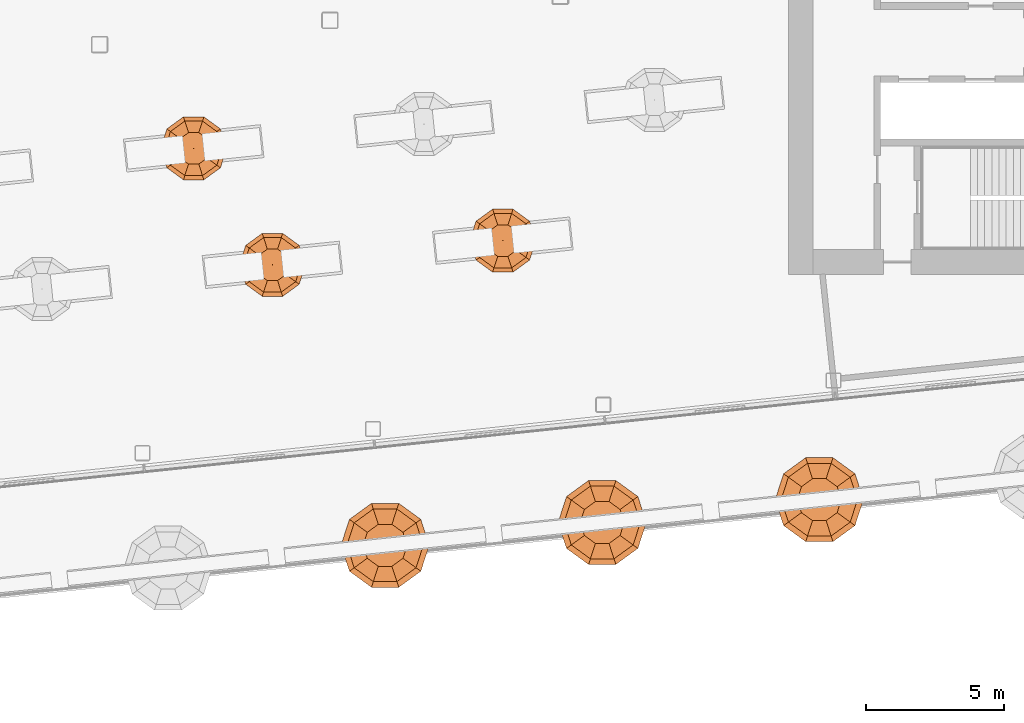
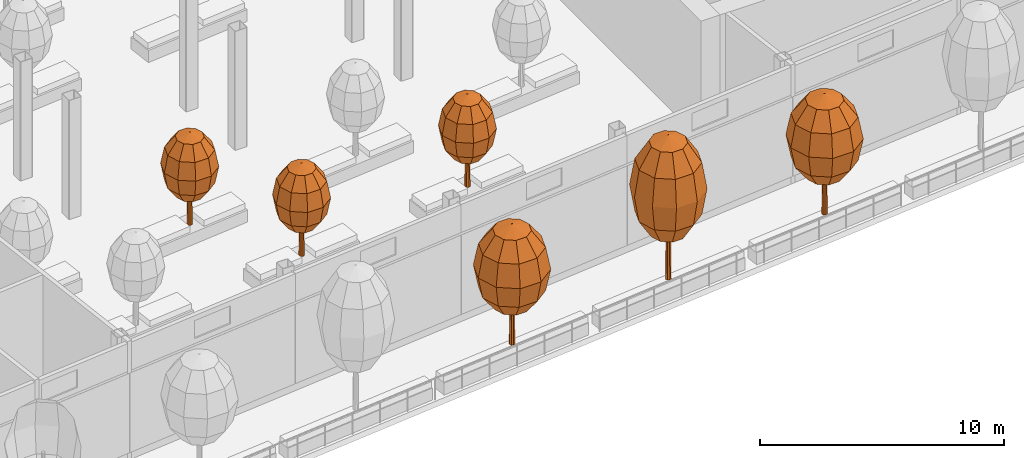
# One storey, part 38 of 42: 6 geographic elements.
"""IFC4 building model written with IfcOpenShell, lengths in metres."""

from ifc_helpers import new_model, si_unit, direction, frame, origin, place, context, subcontext, project, spatial, triangles, material, type_object, element, save


model = new_model("IFC4")

# Units and contexts
model_context = context("Model", 3, precision=1e-05, world=origin(), true_north=direction((0.0, 1.0)))
body_context = subcontext(model_context, "Body", "Model", "MODEL_VIEW")
ifc_project = project(units=[si_unit("LENGTHUNIT", "METRE"), si_unit("AREAUNIT", "SQUARE_METRE"), si_unit("VOLUMEUNIT", "CUBIC_METRE"), si_unit("PLANEANGLEUNIT", "RADIAN"), si_unit("MASSUNIT", "GRAM", prefix="KILO")], contexts=[model_context])

# Site, building, storey
site_placement = place(None, origin())
site = spatial("IfcSite", under=ifc_project, at=site_placement, CompositionType="ELEMENT")
building_placement = place(site_placement, origin())
building = spatial("IfcBuilding", under=site, at=building_placement, Name="Hakoniwa Tower and Hamabe Station Hall", CompositionType="ELEMENT")
storey_placement = place(building_placement, frame((0.0, 0.0, 232.60009765625)))
storey = spatial("IfcBuildingStorey", under=building, at=storey_placement, Name="L66", CompositionType="ELEMENT", Elevation=232.60009765625)

# Geographic elements
ifc_material_1 = material(Name="Tree foliage")
geographic_element_type_1 = type_object("IfcGeographicElementType", Name="Camellia 4.6 m", PredefinedType="USERDEFINED", material=ifc_material_1)
geographic_element_1_placement = place(storey_placement, frame((-4.76416015625, -3.832763671875, 0.599853515625)))
element("IfcGeographicElement", 1, at=geographic_element_1_placement, inside=storey, type_object=geographic_element_type_1, Name="Camellia 4-6 m", ObjectType="TREE", PredefinedType="USERDEFINED", context=body_context, shape_type="Tessellation", body=[
    triangles([(0.125, 0.0, 0.0), (0.08837890625, 0.08837890625, 0.0), (0.0, 0.125, 0.0), (-0.08837890625, 0.08837890625, 0.0), (-0.125, 0.0, 0.0), (-0.08837890625, -0.08837890625, 0.0), (0.0, -0.125, 0.0), (0.08837890625, -0.08837890625, 0.0), (0.074951171875, 0.0, 2.778564453125), (0.052978515625, 0.052978515625, 2.778564453125), (0.0, 0.074951171875, 2.778564453125), (-0.052978515625, 0.052978515625, 2.778564453125), (-0.074951171875, 0.0, 2.778564453125), (-0.052978515625, -0.052978515625, 2.778564453125), (0.0, -0.074951171875, 2.778564453125), (0.052978515625, -0.052978515625, 2.778564453125), (0.0, 0.0, 0.0), (0.0, 0.0, 2.778564453125)], [[1, 2, 10], [1, 10, 9], [17, 2, 1], [18, 9, 10], [2, 3, 11], [2, 11, 10], [17, 3, 2], [18, 10, 11], [3, 4, 12], [3, 12, 11], [17, 4, 3], [18, 11, 12], [4, 5, 13], [4, 13, 12], [17, 5, 4], [18, 12, 13], [5, 6, 14], [5, 14, 13], [17, 6, 5], [18, 13, 14], [6, 7, 15], [6, 15, 14], [17, 7, 6], [18, 14, 15], [7, 8, 16], [7, 16, 15], [17, 8, 7], [18, 15, 16], [8, 1, 9], [8, 9, 16], [17, 1, 8], [18, 16, 9]], closed=True),
    triangles([(0.0, 0.0, 1.2880859375), (0.599853515625, 0.0, 1.510009765625), (0.4853515625, 0.3525390625, 1.510009765625), (0.185302734375, 0.570556640625, 1.510009765625), (-0.185302734375, 0.570556640625, 1.510009765625), (-0.4853515625, 0.3525390625, 1.510009765625), (-0.599853515625, 0.0, 1.510009765625), (-0.4853515625, -0.3525390625, 1.510009765625), (-0.185302734375, -0.570556640625, 1.510009765625), (0.185302734375, -0.570556640625, 1.510009765625), (0.4853515625, -0.3525390625, 1.510009765625), (1.039306640625, 0.0, 2.115966796875), (0.8408203125, 0.61083984375, 2.115966796875), (0.321044921875, 0.98828125, 2.115966796875), (-0.321044921875, 0.98828125, 2.115966796875), (-0.8408203125, 0.61083984375, 2.115966796875), (-1.039306640625, 0.0, 2.115966796875), (-0.8408203125, -0.61083984375, 2.115966796875), (-0.321044921875, -0.98828125, 2.115966796875), (0.321044921875, -0.98828125, 2.115966796875), (0.8408203125, -0.61083984375, 2.115966796875), (1.199951171875, 0.0, 2.944091796875), (0.970703125, 0.705322265625, 2.944091796875), (0.370849609375, 1.14111328125, 2.944091796875), (-0.370849609375, 1.14111328125, 2.944091796875), (-0.970703125, 0.705322265625, 2.944091796875), (-1.199951171875, 0.0, 2.944091796875), (-0.970703125, -0.705322265625, 2.944091796875), (-0.370849609375, -1.14111328125, 2.944091796875), (0.370849609375, -1.14111328125, 2.944091796875), (0.970703125, -0.705322265625, 2.944091796875), (1.039306640625, 0.0, 3.77197265625), (0.8408203125, 0.61083984375, 3.77197265625), (0.321044921875, 0.98828125, 3.77197265625), (-0.321044921875, 0.98828125, 3.77197265625), (-0.8408203125, 0.61083984375, 3.77197265625), (-1.039306640625, 0.0, 3.77197265625), (-0.8408203125, -0.61083984375, 3.77197265625), (-0.321044921875, -0.98828125, 3.77197265625), (0.321044921875, -0.98828125, 3.77197265625), (0.8408203125, -0.61083984375, 3.77197265625), (0.599853515625, 0.0, 4.378173828125), (0.4853515625, 0.3525390625, 4.378173828125), (0.185302734375, 0.570556640625, 4.378173828125), (-0.185302734375, 0.570556640625, 4.378173828125), (-0.4853515625, 0.3525390625, 4.378173828125), (-0.599853515625, 0.0, 4.378173828125), (-0.4853515625, -0.3525390625, 4.378173828125), (-0.185302734375, -0.570556640625, 4.378173828125), (0.185302734375, -0.570556640625, 4.378173828125), (0.4853515625, -0.3525390625, 4.378173828125), (0.0, 0.0, 4.60009765625)], [[1, 3, 2], [1, 4, 3], [1, 5, 4], [1, 6, 5], [1, 7, 6], [1, 8, 7], [1, 9, 8], [1, 10, 9], [1, 11, 10], [1, 2, 11], [2, 3, 13], [2, 13, 12], [3, 4, 14], [3, 14, 13], [4, 5, 15], [4, 15, 14], [5, 6, 16], [5, 16, 15], [6, 7, 17], [6, 17, 16], [7, 8, 18], [7, 18, 17], [8, 9, 19], [8, 19, 18], [9, 10, 20], [9, 20, 19], [10, 11, 21], [10, 21, 20], [11, 2, 12], [11, 12, 21], [12, 13, 23], [12, 23, 22], [13, 14, 24], [13, 24, 23], [14, 15, 25], [14, 25, 24], [15, 16, 26], [15, 26, 25], [16, 17, 27], [16, 27, 26], [17, 18, 28], [17, 28, 27], [18, 19, 29], [18, 29, 28], [19, 20, 30], [19, 30, 29], [20, 21, 31], [20, 31, 30], [21, 12, 22], [21, 22, 31], [22, 23, 33], [22, 33, 32], [23, 24, 34], [23, 34, 33], [24, 25, 35], [24, 35, 34], [25, 26, 36], [25, 36, 35], [26, 27, 37], [26, 37, 36], [27, 28, 38], [27, 38, 37], [28, 29, 39], [28, 39, 38], [29, 30, 40], [29, 40, 39], [30, 31, 41], [30, 41, 40], [31, 22, 32], [31, 32, 41], [32, 33, 43], [32, 43, 42], [33, 34, 44], [33, 44, 43], [34, 35, 45], [34, 45, 44], [35, 36, 46], [35, 46, 45], [36, 37, 47], [36, 47, 46], [37, 38, 48], [37, 48, 47], [38, 39, 49], [38, 49, 48], [39, 40, 50], [39, 50, 49], [40, 41, 51], [40, 51, 50], [41, 32, 42], [41, 42, 51], [52, 42, 43], [52, 43, 44], [52, 44, 45], [52, 45, 46], [52, 46, 47], [52, 47, 48], [52, 48, 49], [52, 49, 50], [52, 50, 51], [52, 51, 42]], closed=True),
])
geographic_element_2_placement = place(storey_placement, frame((-1.906982421875, -8.05712890625, 0.599853515625)))
element("IfcGeographicElement", 2, at=geographic_element_2_placement, inside=storey, type_object=geographic_element_type_1, Name="Camellia 4-6 m", ObjectType="TREE", PredefinedType="USERDEFINED", context=body_context, shape_type="Tessellation", body=[
    triangles([(0.125, 0.0, 0.0), (0.08837890625, 0.08837890625, 0.0), (0.0, 0.125, 0.0), (-0.08837890625, 0.08837890625, 0.0), (-0.125, 0.0, 0.0), (-0.08837890625, -0.08837890625, 0.0), (0.0, -0.125, 0.0), (0.08837890625, -0.08837890625, 0.0), (0.074951171875, 0.0, 2.778564453125), (0.052978515625, 0.052978515625, 2.778564453125), (0.0, 0.074951171875, 2.778564453125), (-0.052978515625, 0.052978515625, 2.778564453125), (-0.074951171875, 0.0, 2.778564453125), (-0.052978515625, -0.052978515625, 2.778564453125), (0.0, -0.074951171875, 2.778564453125), (0.052978515625, -0.052978515625, 2.778564453125), (0.0, 0.0, 0.0), (0.0, 0.0, 2.778564453125)], [[1, 2, 10], [1, 10, 9], [17, 2, 1], [18, 9, 10], [2, 3, 11], [2, 11, 10], [17, 3, 2], [18, 10, 11], [3, 4, 12], [3, 12, 11], [17, 4, 3], [18, 11, 12], [4, 5, 13], [4, 13, 12], [17, 5, 4], [18, 12, 13], [5, 6, 14], [5, 14, 13], [17, 6, 5], [18, 13, 14], [6, 7, 15], [6, 15, 14], [17, 7, 6], [18, 14, 15], [7, 8, 16], [7, 16, 15], [17, 8, 7], [18, 15, 16], [8, 1, 9], [8, 9, 16], [17, 1, 8], [18, 16, 9]], closed=True),
    triangles([(0.0, 0.0, 1.2880859375), (0.599853515625, 0.0, 1.510009765625), (0.4853515625, 0.3525390625, 1.510009765625), (0.185302734375, 0.570556640625, 1.510009765625), (-0.185302734375, 0.570556640625, 1.510009765625), (-0.4853515625, 0.3525390625, 1.510009765625), (-0.599853515625, 0.0, 1.510009765625), (-0.4853515625, -0.3525390625, 1.510009765625), (-0.185302734375, -0.570556640625, 1.510009765625), (0.185302734375, -0.570556640625, 1.510009765625), (0.4853515625, -0.3525390625, 1.510009765625), (1.039306640625, 0.0, 2.115966796875), (0.8408203125, 0.61083984375, 2.115966796875), (0.321044921875, 0.98828125, 2.115966796875), (-0.321044921875, 0.98828125, 2.115966796875), (-0.8408203125, 0.61083984375, 2.115966796875), (-1.039306640625, 0.0, 2.115966796875), (-0.8408203125, -0.61083984375, 2.115966796875), (-0.321044921875, -0.98828125, 2.115966796875), (0.321044921875, -0.98828125, 2.115966796875), (0.8408203125, -0.61083984375, 2.115966796875), (1.199951171875, 0.0, 2.944091796875), (0.970703125, 0.705322265625, 2.944091796875), (0.370849609375, 1.14111328125, 2.944091796875), (-0.370849609375, 1.14111328125, 2.944091796875), (-0.970703125, 0.705322265625, 2.944091796875), (-1.199951171875, 0.0, 2.944091796875), (-0.970703125, -0.705322265625, 2.944091796875), (-0.370849609375, -1.14111328125, 2.944091796875), (0.370849609375, -1.14111328125, 2.944091796875), (0.970703125, -0.705322265625, 2.944091796875), (1.039306640625, 0.0, 3.77197265625), (0.8408203125, 0.61083984375, 3.77197265625), (0.321044921875, 0.98828125, 3.77197265625), (-0.321044921875, 0.98828125, 3.77197265625), (-0.8408203125, 0.61083984375, 3.77197265625), (-1.039306640625, 0.0, 3.77197265625), (-0.8408203125, -0.61083984375, 3.77197265625), (-0.321044921875, -0.98828125, 3.77197265625), (0.321044921875, -0.98828125, 3.77197265625), (0.8408203125, -0.61083984375, 3.77197265625), (0.599853515625, 0.0, 4.378173828125), (0.4853515625, 0.3525390625, 4.378173828125), (0.185302734375, 0.570556640625, 4.378173828125), (-0.185302734375, 0.570556640625, 4.378173828125), (-0.4853515625, 0.3525390625, 4.378173828125), (-0.599853515625, 0.0, 4.378173828125), (-0.4853515625, -0.3525390625, 4.378173828125), (-0.185302734375, -0.570556640625, 4.378173828125), (0.185302734375, -0.570556640625, 4.378173828125), (0.4853515625, -0.3525390625, 4.378173828125), (0.0, 0.0, 4.60009765625)], [[1, 3, 2], [1, 4, 3], [1, 5, 4], [1, 6, 5], [1, 7, 6], [1, 8, 7], [1, 9, 8], [1, 10, 9], [1, 11, 10], [1, 2, 11], [2, 3, 13], [2, 13, 12], [3, 4, 14], [3, 14, 13], [4, 5, 15], [4, 15, 14], [5, 6, 16], [5, 16, 15], [6, 7, 17], [6, 17, 16], [7, 8, 18], [7, 18, 17], [8, 9, 19], [8, 19, 18], [9, 10, 20], [9, 20, 19], [10, 11, 21], [10, 21, 20], [11, 2, 12], [11, 12, 21], [12, 13, 23], [12, 23, 22], [13, 14, 24], [13, 24, 23], [14, 15, 25], [14, 25, 24], [15, 16, 26], [15, 26, 25], [16, 17, 27], [16, 27, 26], [17, 18, 28], [17, 28, 27], [18, 19, 29], [18, 29, 28], [19, 20, 30], [19, 30, 29], [20, 21, 31], [20, 31, 30], [21, 12, 22], [21, 22, 31], [22, 23, 33], [22, 33, 32], [23, 24, 34], [23, 34, 33], [24, 25, 35], [24, 35, 34], [25, 26, 36], [25, 36, 35], [26, 27, 37], [26, 37, 36], [27, 28, 38], [27, 38, 37], [28, 29, 39], [28, 39, 38], [29, 30, 40], [29, 40, 39], [30, 31, 41], [30, 41, 40], [31, 22, 32], [31, 32, 41], [32, 33, 43], [32, 43, 42], [33, 34, 44], [33, 44, 43], [34, 35, 45], [34, 45, 44], [35, 36, 46], [35, 46, 45], [36, 37, 47], [36, 47, 46], [37, 38, 48], [37, 48, 47], [38, 39, 49], [38, 49, 48], [39, 40, 50], [39, 50, 49], [40, 41, 51], [40, 51, 50], [41, 32, 42], [41, 42, 51], [52, 42, 43], [52, 43, 44], [52, 44, 45], [52, 45, 46], [52, 46, 47], [52, 47, 48], [52, 48, 49], [52, 49, 50], [52, 50, 51], [52, 51, 42]], closed=True),
])
geographic_element_3_placement = place(storey_placement, frame((6.447021484375, -7.17919921875, 0.599853515625)))
element("IfcGeographicElement", 3, at=geographic_element_3_placement, inside=storey, type_object=geographic_element_type_1, Name="Camellia 4-6 m", ObjectType="TREE", PredefinedType="USERDEFINED", context=body_context, shape_type="Tessellation", body=[
    triangles([(0.125, 0.0, 0.0), (0.08837890625, 0.08837890625, 0.0), (0.0, 0.125, 0.0), (-0.08837890625, 0.08837890625, 0.0), (-0.125, 0.0, 0.0), (-0.08837890625, -0.08837890625, 0.0), (0.0, -0.125, 0.0), (0.08837890625, -0.08837890625, 0.0), (0.074951171875, 0.0, 2.778564453125), (0.052978515625, 0.052978515625, 2.778564453125), (0.0, 0.074951171875, 2.778564453125), (-0.052978515625, 0.052978515625, 2.778564453125), (-0.074951171875, 0.0, 2.778564453125), (-0.052978515625, -0.052978515625, 2.778564453125), (0.0, -0.074951171875, 2.778564453125), (0.052978515625, -0.052978515625, 2.778564453125), (0.0, 0.0, 0.0), (0.0, 0.0, 2.778564453125)], [[1, 2, 10], [1, 10, 9], [17, 2, 1], [18, 9, 10], [2, 3, 11], [2, 11, 10], [17, 3, 2], [18, 10, 11], [3, 4, 12], [3, 12, 11], [17, 4, 3], [18, 11, 12], [4, 5, 13], [4, 13, 12], [17, 5, 4], [18, 12, 13], [5, 6, 14], [5, 14, 13], [17, 6, 5], [18, 13, 14], [6, 7, 15], [6, 15, 14], [17, 7, 6], [18, 14, 15], [7, 8, 16], [7, 16, 15], [17, 8, 7], [18, 15, 16], [8, 1, 9], [8, 9, 16], [17, 1, 8], [18, 16, 9]], closed=True),
    triangles([(0.0, 0.0, 1.2880859375), (0.599853515625, 0.0, 1.510009765625), (0.4853515625, 0.3525390625, 1.510009765625), (0.185302734375, 0.570556640625, 1.510009765625), (-0.185302734375, 0.570556640625, 1.510009765625), (-0.4853515625, 0.3525390625, 1.510009765625), (-0.599853515625, 0.0, 1.510009765625), (-0.4853515625, -0.3525390625, 1.510009765625), (-0.185302734375, -0.570556640625, 1.510009765625), (0.185302734375, -0.570556640625, 1.510009765625), (0.4853515625, -0.3525390625, 1.510009765625), (1.039306640625, 0.0, 2.115966796875), (0.8408203125, 0.61083984375, 2.115966796875), (0.321044921875, 0.98828125, 2.115966796875), (-0.321044921875, 0.98828125, 2.115966796875), (-0.8408203125, 0.61083984375, 2.115966796875), (-1.039306640625, 0.0, 2.115966796875), (-0.8408203125, -0.61083984375, 2.115966796875), (-0.321044921875, -0.98828125, 2.115966796875), (0.321044921875, -0.98828125, 2.115966796875), (0.8408203125, -0.61083984375, 2.115966796875), (1.199951171875, 0.0, 2.944091796875), (0.970703125, 0.705322265625, 2.944091796875), (0.370849609375, 1.14111328125, 2.944091796875), (-0.370849609375, 1.14111328125, 2.944091796875), (-0.970703125, 0.705322265625, 2.944091796875), (-1.199951171875, 0.0, 2.944091796875), (-0.970703125, -0.705322265625, 2.944091796875), (-0.370849609375, -1.14111328125, 2.944091796875), (0.370849609375, -1.14111328125, 2.944091796875), (0.970703125, -0.705322265625, 2.944091796875), (1.039306640625, 0.0, 3.77197265625), (0.8408203125, 0.61083984375, 3.77197265625), (0.321044921875, 0.98828125, 3.77197265625), (-0.321044921875, 0.98828125, 3.77197265625), (-0.8408203125, 0.61083984375, 3.77197265625), (-1.039306640625, 0.0, 3.77197265625), (-0.8408203125, -0.61083984375, 3.77197265625), (-0.321044921875, -0.98828125, 3.77197265625), (0.321044921875, -0.98828125, 3.77197265625), (0.8408203125, -0.61083984375, 3.77197265625), (0.599853515625, 0.0, 4.378173828125), (0.4853515625, 0.3525390625, 4.378173828125), (0.185302734375, 0.570556640625, 4.378173828125), (-0.185302734375, 0.570556640625, 4.378173828125), (-0.4853515625, 0.3525390625, 4.378173828125), (-0.599853515625, 0.0, 4.378173828125), (-0.4853515625, -0.3525390625, 4.378173828125), (-0.185302734375, -0.570556640625, 4.378173828125), (0.185302734375, -0.570556640625, 4.378173828125), (0.4853515625, -0.3525390625, 4.378173828125), (0.0, 0.0, 4.60009765625)], [[1, 3, 2], [1, 4, 3], [1, 5, 4], [1, 6, 5], [1, 7, 6], [1, 8, 7], [1, 9, 8], [1, 10, 9], [1, 11, 10], [1, 2, 11], [2, 3, 13], [2, 13, 12], [3, 4, 14], [3, 14, 13], [4, 5, 15], [4, 15, 14], [5, 6, 16], [5, 16, 15], [6, 7, 17], [6, 17, 16], [7, 8, 18], [7, 18, 17], [8, 9, 19], [8, 19, 18], [9, 10, 20], [9, 20, 19], [10, 11, 21], [10, 21, 20], [11, 2, 12], [11, 12, 21], [12, 13, 23], [12, 23, 22], [13, 14, 24], [13, 24, 23], [14, 15, 25], [14, 25, 24], [15, 16, 26], [15, 26, 25], [16, 17, 27], [16, 27, 26], [17, 18, 28], [17, 28, 27], [18, 19, 29], [18, 29, 28], [19, 20, 30], [19, 30, 29], [20, 21, 31], [20, 31, 30], [21, 12, 22], [21, 22, 31], [22, 23, 33], [22, 33, 32], [23, 24, 34], [23, 34, 33], [24, 25, 35], [24, 35, 34], [25, 26, 36], [25, 36, 35], [26, 27, 37], [26, 37, 36], [27, 28, 38], [27, 38, 37], [28, 29, 39], [28, 39, 38], [29, 30, 40], [29, 40, 39], [30, 31, 41], [30, 41, 40], [31, 22, 32], [31, 32, 41], [32, 33, 43], [32, 43, 42], [33, 34, 44], [33, 44, 43], [34, 35, 45], [34, 45, 44], [35, 36, 46], [35, 46, 45], [36, 37, 47], [36, 47, 46], [37, 38, 48], [37, 48, 47], [38, 39, 49], [38, 49, 48], [39, 40, 50], [39, 50, 49], [40, 41, 51], [40, 51, 50], [41, 32, 42], [41, 42, 51], [52, 42, 43], [52, 43, 44], [52, 44, 45], [52, 45, 46], [52, 46, 47], [52, 47, 48], [52, 48, 49], [52, 49, 50], [52, 50, 51], [52, 51, 42]], closed=True),
])
ifc_material_2 = material(Name="Tree foliage")
geographic_element_type_2 = type_object("IfcGeographicElementType", Name="Japanese maple 7.2 m", PredefinedType="USERDEFINED", material=ifc_material_2)
geographic_element_4_placement = place(storey_placement, frame((10.051025390625, -17.399658203125, 0.89990234375)))
element("IfcGeographicElement", 4, at=geographic_element_4_placement, inside=storey, type_object=geographic_element_type_2, Name="Japanese maple 7-2 m", ObjectType="TREE", PredefinedType="USERDEFINED", context=body_context, shape_type="Tessellation", body=[
    triangles([(0.125, 0.0, 0.0), (0.08837890625, 0.08837890625, 0.0), (0.0, 0.125, 0.0), (-0.08837890625, 0.08837890625, 0.0), (-0.125, 0.0, 0.0), (-0.08837890625, -0.08837890625, 0.0), (0.0, -0.125, 0.0), (0.08837890625, -0.08837890625, 0.0), (0.074951171875, 0.0, 4.348876953125), (0.052978515625, 0.052978515625, 4.348876953125), (0.0, 0.074951171875, 4.348876953125), (-0.052978515625, 0.052978515625, 4.348876953125), (-0.074951171875, 0.0, 4.348876953125), (-0.052978515625, -0.052978515625, 4.348876953125), (0.0, -0.074951171875, 4.348876953125), (0.052978515625, -0.052978515625, 4.348876953125), (0.0, 0.0, 0.0), (0.0, 0.0, 4.348876953125)], [[1, 2, 10], [1, 10, 9], [17, 2, 1], [18, 9, 10], [2, 3, 11], [2, 11, 10], [17, 3, 2], [18, 10, 11], [3, 4, 12], [3, 12, 11], [17, 4, 3], [18, 11, 12], [4, 5, 13], [4, 13, 12], [17, 5, 4], [18, 12, 13], [5, 6, 14], [5, 14, 13], [17, 6, 5], [18, 13, 14], [6, 7, 15], [6, 15, 14], [17, 7, 6], [18, 14, 15], [7, 8, 16], [7, 16, 15], [17, 8, 7], [18, 15, 16], [8, 1, 9], [8, 9, 16], [17, 1, 8], [18, 16, 9]], closed=True),
    triangles([(0.0, 0.0, 2.015869140625), (0.800048828125, 0.0, 2.36328125), (0.647216796875, 0.47021484375, 2.36328125), (0.247314453125, 0.7607421875, 2.36328125), (-0.247314453125, 0.7607421875, 2.36328125), (-0.647216796875, 0.47021484375, 2.36328125), (-0.800048828125, 0.0, 2.36328125), (-0.647216796875, -0.47021484375, 2.36328125), (-0.247314453125, -0.7607421875, 2.36328125), (0.247314453125, -0.7607421875, 2.36328125), (0.647216796875, -0.47021484375, 2.36328125), (1.385498046875, 0.0, 3.31201171875), (1.12109375, 0.814453125, 3.31201171875), (0.42822265625, 1.31787109375, 3.31201171875), (-0.42822265625, 1.31787109375, 3.31201171875), (-1.12109375, 0.814453125, 3.31201171875), (-1.385498046875, 0.0, 3.31201171875), (-1.12109375, -0.814453125, 3.31201171875), (-0.42822265625, -1.31787109375, 3.31201171875), (0.42822265625, -1.31787109375, 3.31201171875), (1.12109375, -0.814453125, 3.31201171875), (1.60009765625, 0.0, 4.60791015625), (1.29443359375, 0.9404296875, 4.60791015625), (0.494384765625, 1.521728515625, 4.60791015625), (-0.494384765625, 1.521728515625, 4.60791015625), (-1.29443359375, 0.9404296875, 4.60791015625), (-1.60009765625, 0.0, 4.60791015625), (-1.29443359375, -0.9404296875, 4.60791015625), (-0.494384765625, -1.521728515625, 4.60791015625), (0.494384765625, -1.521728515625, 4.60791015625), (1.29443359375, -0.9404296875, 4.60791015625), (1.385498046875, 0.0, 5.904052734375), (1.12109375, 0.814453125, 5.904052734375), (0.42822265625, 1.31787109375, 5.904052734375), (-0.42822265625, 1.31787109375, 5.904052734375), (-1.12109375, 0.814453125, 5.904052734375), (-1.385498046875, 0.0, 5.904052734375), (-1.12109375, -0.814453125, 5.904052734375), (-0.42822265625, -1.31787109375, 5.904052734375), (0.42822265625, -1.31787109375, 5.904052734375), (1.12109375, -0.814453125, 5.904052734375), (0.800048828125, 0.0, 6.852783203125), (0.647216796875, 0.47021484375, 6.852783203125), (0.247314453125, 0.7607421875, 6.852783203125), (-0.247314453125, 0.7607421875, 6.852783203125), (-0.647216796875, 0.47021484375, 6.852783203125), (-0.800048828125, 0.0, 6.852783203125), (-0.647216796875, -0.47021484375, 6.852783203125), (-0.247314453125, -0.7607421875, 6.852783203125), (0.247314453125, -0.7607421875, 6.852783203125), (0.647216796875, -0.47021484375, 6.852783203125), (0.0, 0.0, 7.199951171875)], [[1, 3, 2], [1, 4, 3], [1, 5, 4], [1, 6, 5], [1, 7, 6], [1, 8, 7], [1, 9, 8], [1, 10, 9], [1, 11, 10], [1, 2, 11], [2, 3, 13], [2, 13, 12], [3, 4, 14], [3, 14, 13], [4, 5, 15], [4, 15, 14], [5, 6, 16], [5, 16, 15], [6, 7, 17], [6, 17, 16], [7, 8, 18], [7, 18, 17], [8, 9, 19], [8, 19, 18], [9, 10, 20], [9, 20, 19], [10, 11, 21], [10, 21, 20], [11, 2, 12], [11, 12, 21], [12, 13, 23], [12, 23, 22], [13, 14, 24], [13, 24, 23], [14, 15, 25], [14, 25, 24], [15, 16, 26], [15, 26, 25], [16, 17, 27], [16, 27, 26], [17, 18, 28], [17, 28, 27], [18, 19, 29], [18, 29, 28], [19, 20, 30], [19, 30, 29], [20, 21, 31], [20, 31, 30], [21, 12, 22], [21, 22, 31], [22, 23, 33], [22, 33, 32], [23, 24, 34], [23, 34, 33], [24, 25, 35], [24, 35, 34], [25, 26, 36], [25, 36, 35], [26, 27, 37], [26, 37, 36], [27, 28, 38], [27, 38, 37], [28, 29, 39], [28, 39, 38], [29, 30, 40], [29, 40, 39], [30, 31, 41], [30, 41, 40], [31, 22, 32], [31, 32, 41], [32, 33, 43], [32, 43, 42], [33, 34, 44], [33, 44, 43], [34, 35, 45], [34, 45, 44], [35, 36, 46], [35, 46, 45], [36, 37, 47], [36, 47, 46], [37, 38, 48], [37, 48, 47], [38, 39, 49], [38, 49, 48], [39, 40, 50], [39, 50, 49], [40, 41, 51], [40, 51, 50], [41, 32, 42], [41, 42, 51], [52, 42, 43], [52, 43, 44], [52, 44, 45], [52, 45, 46], [52, 46, 47], [52, 47, 48], [52, 48, 49], [52, 49, 50], [52, 50, 51], [52, 51, 42]], closed=True),
])
ifc_material_3 = material(Name="Tree foliage")
geographic_element_type_3 = type_object("IfcGeographicElementType", Name="Osmanthus 6.0 m", PredefinedType="USERDEFINED", material=ifc_material_3)
geographic_element_5_placement = place(storey_placement, frame((2.178466796875, -18.227294921875, 0.89990234375)))
element("IfcGeographicElement", 5, at=geographic_element_5_placement, inside=storey, type_object=geographic_element_type_3, Name="Osmanthus 6-0 m", ObjectType="TREE", PredefinedType="USERDEFINED", context=body_context, shape_type="Tessellation", body=[
    triangles([(0.125, 0.0, 0.0), (0.08837890625, 0.08837890625, 0.0), (0.0, 0.125, 0.0), (-0.08837890625, 0.08837890625, 0.0), (-0.125, 0.0, 0.0), (-0.08837890625, -0.08837890625, 0.0), (0.0, -0.125, 0.0), (0.08837890625, -0.08837890625, 0.0), (0.074951171875, 0.0, 3.6240234375), (0.052978515625, 0.052978515625, 3.6240234375), (0.0, 0.074951171875, 3.6240234375), (-0.052978515625, 0.052978515625, 3.6240234375), (-0.074951171875, 0.0, 3.6240234375), (-0.052978515625, -0.052978515625, 3.6240234375), (0.0, -0.074951171875, 3.6240234375), (0.052978515625, -0.052978515625, 3.6240234375), (0.0, 0.0, 0.0), (0.0, 0.0, 3.6240234375)], [[1, 2, 10], [1, 10, 9], [17, 2, 1], [18, 9, 10], [2, 3, 11], [2, 11, 10], [17, 3, 2], [18, 10, 11], [3, 4, 12], [3, 12, 11], [17, 4, 3], [18, 11, 12], [4, 5, 13], [4, 13, 12], [17, 5, 4], [18, 12, 13], [5, 6, 14], [5, 14, 13], [17, 6, 5], [18, 13, 14], [6, 7, 15], [6, 15, 14], [17, 7, 6], [18, 14, 15], [7, 8, 16], [7, 16, 15], [17, 8, 7], [18, 15, 16], [8, 1, 9], [8, 9, 16], [17, 1, 8], [18, 16, 9]], closed=True),
    triangles([(0.0, 0.0, 1.679931640625), (0.800048828125, 0.0, 1.969482421875), (0.647216796875, 0.47021484375, 1.969482421875), (0.247314453125, 0.7607421875, 1.969482421875), (-0.247314453125, 0.7607421875, 1.969482421875), (-0.647216796875, 0.47021484375, 1.969482421875), (-0.800048828125, 0.0, 1.969482421875), (-0.647216796875, -0.47021484375, 1.969482421875), (-0.247314453125, -0.7607421875, 1.969482421875), (0.247314453125, -0.7607421875, 1.969482421875), (0.647216796875, -0.47021484375, 1.969482421875), (1.385498046875, 0.0, 2.760009765625), (1.12109375, 0.814453125, 2.760009765625), (0.42822265625, 1.31787109375, 2.760009765625), (-0.42822265625, 1.31787109375, 2.760009765625), (-1.12109375, 0.814453125, 2.760009765625), (-1.385498046875, 0.0, 2.760009765625), (-1.12109375, -0.814453125, 2.760009765625), (-0.42822265625, -1.31787109375, 2.760009765625), (0.42822265625, -1.31787109375, 2.760009765625), (1.12109375, -0.814453125, 2.760009765625), (1.60009765625, 0.0, 3.840087890625), (1.29443359375, 0.9404296875, 3.840087890625), (0.494384765625, 1.521728515625, 3.840087890625), (-0.494384765625, 1.521728515625, 3.840087890625), (-1.29443359375, 0.9404296875, 3.840087890625), (-1.60009765625, 0.0, 3.840087890625), (-1.29443359375, -0.9404296875, 3.840087890625), (-0.494384765625, -1.521728515625, 3.840087890625), (0.494384765625, -1.521728515625, 3.840087890625), (1.29443359375, -0.9404296875, 3.840087890625), (1.385498046875, 0.0, 4.919921875), (1.12109375, 0.814453125, 4.919921875), (0.42822265625, 1.31787109375, 4.919921875), (-0.42822265625, 1.31787109375, 4.919921875), (-1.12109375, 0.814453125, 4.919921875), (-1.385498046875, 0.0, 4.919921875), (-1.12109375, -0.814453125, 4.919921875), (-0.42822265625, -1.31787109375, 4.919921875), (0.42822265625, -1.31787109375, 4.919921875), (1.12109375, -0.814453125, 4.919921875), (0.800048828125, 0.0, 5.710693359375), (0.647216796875, 0.47021484375, 5.710693359375), (0.247314453125, 0.7607421875, 5.710693359375), (-0.247314453125, 0.7607421875, 5.710693359375), (-0.647216796875, 0.47021484375, 5.710693359375), (-0.800048828125, 0.0, 5.710693359375), (-0.647216796875, -0.47021484375, 5.710693359375), (-0.247314453125, -0.7607421875, 5.710693359375), (0.247314453125, -0.7607421875, 5.710693359375), (0.647216796875, -0.47021484375, 5.710693359375), (0.0, 0.0, 6.0)], [[1, 3, 2], [1, 4, 3], [1, 5, 4], [1, 6, 5], [1, 7, 6], [1, 8, 7], [1, 9, 8], [1, 10, 9], [1, 11, 10], [1, 2, 11], [2, 3, 13], [2, 13, 12], [3, 4, 14], [3, 14, 13], [4, 5, 15], [4, 15, 14], [5, 6, 16], [5, 16, 15], [6, 7, 17], [6, 17, 16], [7, 8, 18], [7, 18, 17], [8, 9, 19], [8, 19, 18], [9, 10, 20], [9, 20, 19], [10, 11, 21], [10, 21, 20], [11, 2, 12], [11, 12, 21], [12, 13, 23], [12, 23, 22], [13, 14, 24], [13, 24, 23], [14, 15, 25], [14, 25, 24], [15, 16, 26], [15, 26, 25], [16, 17, 27], [16, 27, 26], [17, 18, 28], [17, 28, 27], [18, 19, 29], [18, 29, 28], [19, 20, 30], [19, 30, 29], [20, 21, 31], [20, 31, 30], [21, 12, 22], [21, 22, 31], [22, 23, 33], [22, 33, 32], [23, 24, 34], [23, 34, 33], [24, 25, 35], [24, 35, 34], [25, 26, 36], [25, 36, 35], [26, 27, 37], [26, 37, 36], [27, 28, 38], [27, 38, 37], [28, 29, 39], [28, 39, 38], [29, 30, 40], [29, 40, 39], [30, 31, 41], [30, 41, 40], [31, 22, 32], [31, 32, 41], [32, 33, 43], [32, 43, 42], [33, 34, 44], [33, 44, 43], [34, 35, 45], [34, 45, 44], [35, 36, 46], [35, 46, 45], [36, 37, 47], [36, 47, 46], [37, 38, 48], [37, 48, 47], [38, 39, 49], [38, 49, 48], [39, 40, 50], [39, 50, 49], [40, 41, 51], [40, 51, 50], [41, 32, 42], [41, 42, 51], [52, 42, 43], [52, 43, 44], [52, 44, 45], [52, 45, 46], [52, 46, 47], [52, 47, 48], [52, 48, 49], [52, 49, 50], [52, 50, 51], [52, 51, 42]], closed=True),
])
geographic_element_6_placement = place(storey_placement, frame((17.923583984375, -16.572265625, 0.89990234375)))
element("IfcGeographicElement", 6, at=geographic_element_6_placement, inside=storey, type_object=geographic_element_type_3, Name="Osmanthus 6-0 m", ObjectType="TREE", PredefinedType="USERDEFINED", context=body_context, shape_type="Tessellation", body=[
    triangles([(0.125, 0.0, 0.0), (0.08837890625, 0.08837890625, 0.0), (0.0, 0.125, 0.0), (-0.08837890625, 0.08837890625, 0.0), (-0.125, 0.0, 0.0), (-0.08837890625, -0.08837890625, 0.0), (0.0, -0.125, 0.0), (0.08837890625, -0.08837890625, 0.0), (0.074951171875, 0.0, 3.6240234375), (0.052978515625, 0.052978515625, 3.6240234375), (0.0, 0.074951171875, 3.6240234375), (-0.052978515625, 0.052978515625, 3.6240234375), (-0.074951171875, 0.0, 3.6240234375), (-0.052978515625, -0.052978515625, 3.6240234375), (0.0, -0.074951171875, 3.6240234375), (0.052978515625, -0.052978515625, 3.6240234375), (0.0, 0.0, 0.0), (0.0, 0.0, 3.6240234375)], [[1, 2, 10], [1, 10, 9], [17, 2, 1], [18, 9, 10], [2, 3, 11], [2, 11, 10], [17, 3, 2], [18, 10, 11], [3, 4, 12], [3, 12, 11], [17, 4, 3], [18, 11, 12], [4, 5, 13], [4, 13, 12], [17, 5, 4], [18, 12, 13], [5, 6, 14], [5, 14, 13], [17, 6, 5], [18, 13, 14], [6, 7, 15], [6, 15, 14], [17, 7, 6], [18, 14, 15], [7, 8, 16], [7, 16, 15], [17, 8, 7], [18, 15, 16], [8, 1, 9], [8, 9, 16], [17, 1, 8], [18, 16, 9]], closed=True),
    triangles([(0.0, 0.0, 1.679931640625), (0.800048828125, 0.0, 1.969482421875), (0.647216796875, 0.47021484375, 1.969482421875), (0.247314453125, 0.7607421875, 1.969482421875), (-0.247314453125, 0.7607421875, 1.969482421875), (-0.647216796875, 0.47021484375, 1.969482421875), (-0.800048828125, 0.0, 1.969482421875), (-0.647216796875, -0.47021484375, 1.969482421875), (-0.247314453125, -0.7607421875, 1.969482421875), (0.247314453125, -0.7607421875, 1.969482421875), (0.647216796875, -0.47021484375, 1.969482421875), (1.385498046875, 0.0, 2.760009765625), (1.12109375, 0.814453125, 2.760009765625), (0.42822265625, 1.31787109375, 2.760009765625), (-0.42822265625, 1.31787109375, 2.760009765625), (-1.12109375, 0.814453125, 2.760009765625), (-1.385498046875, 0.0, 2.760009765625), (-1.12109375, -0.814453125, 2.760009765625), (-0.42822265625, -1.31787109375, 2.760009765625), (0.42822265625, -1.31787109375, 2.760009765625), (1.12109375, -0.814453125, 2.760009765625), (1.60009765625, 0.0, 3.840087890625), (1.29443359375, 0.9404296875, 3.840087890625), (0.494384765625, 1.521728515625, 3.840087890625), (-0.494384765625, 1.521728515625, 3.840087890625), (-1.29443359375, 0.9404296875, 3.840087890625), (-1.60009765625, 0.0, 3.840087890625), (-1.29443359375, -0.9404296875, 3.840087890625), (-0.494384765625, -1.521728515625, 3.840087890625), (0.494384765625, -1.521728515625, 3.840087890625), (1.29443359375, -0.9404296875, 3.840087890625), (1.385498046875, 0.0, 4.919921875), (1.12109375, 0.814453125, 4.919921875), (0.42822265625, 1.31787109375, 4.919921875), (-0.42822265625, 1.31787109375, 4.919921875), (-1.12109375, 0.814453125, 4.919921875), (-1.385498046875, 0.0, 4.919921875), (-1.12109375, -0.814453125, 4.919921875), (-0.42822265625, -1.31787109375, 4.919921875), (0.42822265625, -1.31787109375, 4.919921875), (1.12109375, -0.814453125, 4.919921875), (0.800048828125, 0.0, 5.710693359375), (0.647216796875, 0.47021484375, 5.710693359375), (0.247314453125, 0.7607421875, 5.710693359375), (-0.247314453125, 0.7607421875, 5.710693359375), (-0.647216796875, 0.47021484375, 5.710693359375), (-0.800048828125, 0.0, 5.710693359375), (-0.647216796875, -0.47021484375, 5.710693359375), (-0.247314453125, -0.7607421875, 5.710693359375), (0.247314453125, -0.7607421875, 5.710693359375), (0.647216796875, -0.47021484375, 5.710693359375), (0.0, 0.0, 6.0)], [[1, 3, 2], [1, 4, 3], [1, 5, 4], [1, 6, 5], [1, 7, 6], [1, 8, 7], [1, 9, 8], [1, 10, 9], [1, 11, 10], [1, 2, 11], [2, 3, 13], [2, 13, 12], [3, 4, 14], [3, 14, 13], [4, 5, 15], [4, 15, 14], [5, 6, 16], [5, 16, 15], [6, 7, 17], [6, 17, 16], [7, 8, 18], [7, 18, 17], [8, 9, 19], [8, 19, 18], [9, 10, 20], [9, 20, 19], [10, 11, 21], [10, 21, 20], [11, 2, 12], [11, 12, 21], [12, 13, 23], [12, 23, 22], [13, 14, 24], [13, 24, 23], [14, 15, 25], [14, 25, 24], [15, 16, 26], [15, 26, 25], [16, 17, 27], [16, 27, 26], [17, 18, 28], [17, 28, 27], [18, 19, 29], [18, 29, 28], [19, 20, 30], [19, 30, 29], [20, 21, 31], [20, 31, 30], [21, 12, 22], [21, 22, 31], [22, 23, 33], [22, 33, 32], [23, 24, 34], [23, 34, 33], [24, 25, 35], [24, 35, 34], [25, 26, 36], [25, 36, 35], [26, 27, 37], [26, 37, 36], [27, 28, 38], [27, 38, 37], [28, 29, 39], [28, 39, 38], [29, 30, 40], [29, 40, 39], [30, 31, 41], [30, 41, 40], [31, 22, 32], [31, 32, 41], [32, 33, 43], [32, 43, 42], [33, 34, 44], [33, 44, 43], [34, 35, 45], [34, 45, 44], [35, 36, 46], [35, 46, 45], [36, 37, 47], [36, 47, 46], [37, 38, 48], [37, 48, 47], [38, 39, 49], [38, 49, 48], [39, 40, 50], [39, 50, 49], [40, 41, 51], [40, 51, 50], [41, 32, 42], [41, 42, 51], [52, 42, 43], [52, 43, 44], [52, 44, 45], [52, 45, 46], [52, 46, 47], [52, 47, 48], [52, 48, 49], [52, 49, 50], [52, 50, 51], [52, 51, 42]], closed=True),
])

save(model, "model.ifc")
